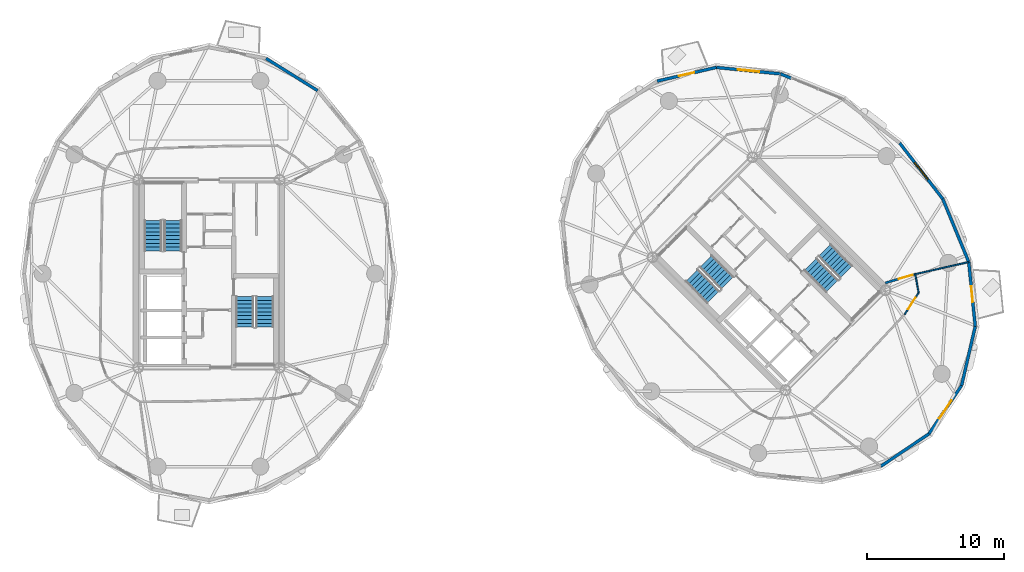
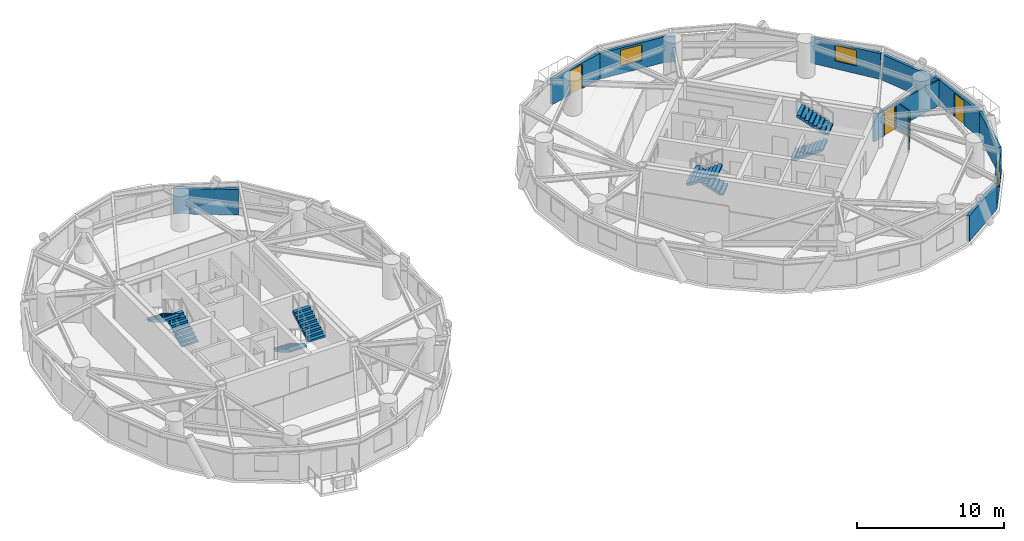
# One storey, part 12 of 15: 14 walls, 8 stair flights, 4 doors, 3 windows, 7 openings, 4 elements without a shape of their own.
"""IFC4 building model written with IfcOpenShell, lengths in metres."""

from ifc_helpers import new_model, si_unit, direction, frame, frame_2d, origin, place, context, subcontext, project, spatial, polyline, rectangle, outline, extrude, source, transform, mapped, material, layer, layer_set, type_object, element, fill, aggregate, save


model = new_model("IFC4")

# Units and contexts
model_context = context("Model", 3, precision=1e-05, world=origin(), true_north=direction((0.0, 1.0)))
body_context = subcontext(model_context, "Body", "Model", "MODEL_VIEW")
ifc_project = project(units=[si_unit("LENGTHUNIT", "METRE"), si_unit("AREAUNIT", "SQUARE_METRE"), si_unit("VOLUMEUNIT", "CUBIC_METRE"), si_unit("PLANEANGLEUNIT", "RADIAN"), si_unit("MASSUNIT", "GRAM", prefix="KILO")], contexts=[model_context])

# Site, building, storey
site_placement = place(None, origin())
site = spatial("IfcSite", under=ifc_project, at=site_placement, CompositionType="ELEMENT")
building_placement = place(site_placement, origin())
building = spatial("IfcBuilding", under=site, at=building_placement, Name="Cununo Teusaquillo Station Towers", CompositionType="ELEMENT")
storey_placement = place(building_placement, frame((0.0, 0.0, 189.429931640625)))
storey = spatial("IfcBuildingStorey", under=building, at=storey_placement, Name="L60", CompositionType="ELEMENT", Elevation=189.429931640625)

# Walls
ifc_material_1 = material(Name="Precast concrete C40/50", Category="concrete")
ifc_layer_1 = layer(ifc_material_1, 0.219970703125)
ifc_layer_set_1 = layer_set([ifc_layer_1], Name="Precast concrete C40/50")
wall_type_1 = type_object("IfcWallType", Name="WL-EXT-220", PredefinedType="SOLIDWALL", material=ifc_layer_set_1)
wall_1_placement = place(storey_placement, frame((20.681396484375, 40.259033203125, 0.0), z_axis=(0.0, 0.0, 1.0), x_axis=(0.848399108042, -0.529357113368, 0.0)))
element("IfcWall", 1, at=wall_1_placement, inside=storey, type_object=wall_type_1, Name="L60 Tower A Exterior Facade Wall C03", PredefinedType="SOLIDWALL", context=body_context, shape_type="SweptSolid", body=[
    extrude(rectangle(XDim=4.446044921875, YDim=0.219970703125, at=frame_2d((2.22314453125, 0.0))), origin(), (0.0, 0.0, 1.0), 2.125),
])
wall_2_placement = place(storey_placement, frame((58.353515625, 39.12744140625, 0.0), z_axis=(0.0, 0.0, 1.0), x_axis=(0.924556017656, -0.381046152345, 0.0)))
element("IfcWall", 2, at=wall_2_placement, inside=storey, type_object=wall_type_1, Name="L60 Tower B Column Pier Cladding Wall C01-PA", PredefinedType="SOLIDWALL", context=body_context, shape_type="SweptSolid", body=[
    extrude(rectangle(XDim=0.8701171875, YDim=0.219970703125, at=frame_2d((0.43505859375, 0.0))), origin(), (0.0, 0.0, 1.0), 2.125),
])

# Wall, opening, window
wall_3_placement = place(storey_placement, frame((53.644775390625, 39.602783203125, 0.0), z_axis=(0.0, 0.0, 1.0), x_axis=(0.994943283129, -0.100438356004, 0.0)))
wall_3 = element("IfcWall", 3, at=wall_3_placement, inside=storey, type_object=wall_type_1, Name="L60 Tower B Exterior Facade Wall C02", PredefinedType="SOLIDWALL", context=body_context, shape_type="SweptSolid", body=[
    extrude(rectangle(XDim=4.732666015625, YDim=0.219970703125, at=frame_2d((2.3662109375, 0.0))), origin(), (0.0, 0.0, 1.0), 2.125),
])
shared_shape_1 = source(origin(), body_context, "Body", "SweptSolid", [
    extrude(rectangle(XDim=1.60009765625, YDim=1.300048828125, at=frame_2d((0.800048828125, 0.64990234375))), frame((0.0, 0.119873046875, 0.0), z_axis=(0.0, -1.0, 0.0), x_axis=(1.0, 0.0, 0.0)), (0.0, 0.0, 1.0), 0.239990234375),
])
opening_1_placement = place(wall_3_placement, frame((1.56591796875, 0.0, 0.64990234375)))
opening_1 = element("IfcOpeningElement", 4, at=opening_1_placement, cuts=wall_3, Name="Opening WN-03", PredefinedType="OPENING", context=body_context, shape_type="MappedRepresentation", body=[
    mapped(shared_shape_1, transform((0.0, 0.0, 0.0), x_axis=(1.0, 0.0, 0.0), y_axis=(0.0, 1.0, 0.0), z_axis=(0.0, 0.0, 1.0), scale=1.0)),
])
ifc_material_2 = material(Name="Ceramic-fritted dark low-E double glazing", Category="glass")
window_type = type_object("IfcWindowType", Name="WIN-CORN-1600", PartitioningType="SINGLE_PANEL", PredefinedType="WINDOW", material=ifc_material_2)
shared_shape_2 = source(origin(), body_context, "Body", "SweptSolid", [
    extrude(rectangle(XDim=1.60009765625, YDim=1.300048828125, at=frame_2d((0.800048828125, 0.64990234375))), frame((0.0, 0.030029296875, 0.0), z_axis=(0.0, -1.0, 0.0), x_axis=(1.0, 0.0, 0.0)), (0.0, 0.0, 1.0), 0.06005859375),
])
window_1_placement = place(opening_1_placement, origin())
window_1 = element("IfcWindow", 5, at=window_1_placement, inside=storey, type_object=window_type, Name="L60 Tower B Facade Window C02", OverallHeight=1.300048828125, OverallWidth=1.60009765625, PartitioningType="SINGLE_PANEL", PredefinedType="WINDOW", context=body_context, shape_type="MappedRepresentation", body=[
    mapped(shared_shape_2, transform((0.0, 0.0, 0.0), x_axis=(1.0, 0.0, 0.0), y_axis=(0.0, 1.0, 0.0), z_axis=(0.0, 0.0, 1.0), scale=1.0)),
])
fill(opening_1, window_1)

# Wall, opening, door
wall_4_placement = place(storey_placement, frame((49.313232421875, 38.599853515625, 0.0), z_axis=(0.0, 0.0, 1.0), x_axis=(0.97422620202, 0.22557328587, 0.0)))
wall_4 = element("IfcWall", 6, at=wall_4_placement, inside=storey, type_object=wall_type_1, Name="L60 Tower B Exterior Facade Wall C03", PredefinedType="SOLIDWALL", context=body_context, shape_type="SweptSolid", body=[
    extrude(rectangle(XDim=4.446044921875, YDim=0.219970703125, at=frame_2d((2.22314453125, 0.0))), origin(), (0.0, 0.0, 1.0), 2.125),
])
shared_shape_3 = source(origin(), body_context, "Body", "SweptSolid", [
    extrude(rectangle(XDim=1.14990234375, YDim=2.0048828125, at=frame_2d((0.574951171875, 1.00244140625))), frame((0.0, 0.119873046875, 0.0), z_axis=(0.0, -1.0, 0.0), x_axis=(1.0, 0.0, 0.0)), (0.0, 0.0, 1.0), 0.239990234375),
])
opening_2_placement = place(wall_4_placement, frame((1.64794921875, 0.0, 0.0)))
opening_2 = element("IfcOpeningElement", 7, at=opening_2_placement, cuts=wall_4, Name="Opening ED-03", PredefinedType="OPENING", context=body_context, shape_type="MappedRepresentation", body=[
    mapped(shared_shape_3, transform((0.0, 0.0, 0.0), x_axis=(1.0, 0.0, 0.0), y_axis=(0.0, 1.0, 0.0), z_axis=(0.0, 0.0, 1.0), scale=1.0)),
])
ifc_material_3 = material(Name="Anodised dark bronze aluminium EN AW-6063-T6", Category="aluminium")
door_type_1 = type_object("IfcDoorType", Name="DR-EXT-BAL", OperationType="NOTDEFINED", PredefinedType="DOOR", material=ifc_material_3)
shared_shape_4 = source(origin(), body_context, "Body", "SweptSolid", [
    extrude(rectangle(XDim=1.14990234375, YDim=2.0048828125, at=frame_2d((0.574951171875, 1.00244140625))), frame((0.0, 0.02490234375, 0.0), z_axis=(0.0, -1.0, 0.0), x_axis=(1.0, 0.0, 0.0)), (0.0, 0.0, 1.0), 0.050048828125),
])
door_1_placement = place(opening_2_placement, origin())
door_1 = element("IfcDoor", 8, at=door_1_placement, inside=storey, type_object=door_type_1, Name="L60 Tower B Tree Balcony Door C03", OperationType="SINGLE_SWING_LEFT", OverallHeight=2.0048828125, OverallWidth=1.14990234375, PredefinedType="DOOR", context=body_context, shape_type="MappedRepresentation", body=[
    mapped(shared_shape_4, transform((0.0, 0.0, 0.0), x_axis=(1.0, 0.0, 0.0), y_axis=(0.0, 1.0, 0.0), z_axis=(0.0, 0.0, 1.0), scale=1.0)),
])
fill(opening_2, door_1)

# Wall
wall_5_placement = place(storey_placement, frame((69.216796875, 12.783203125, 0.0), z_axis=(0.0, 0.0, 1.0), x_axis=(-0.828817439852, -0.55951912514, 0.0)))
element("IfcWall", 9, at=wall_5_placement, inside=storey, type_object=wall_type_1, Name="L60 Tower B Exterior Facade Wall C14", PredefinedType="SOLIDWALL", context=body_context, shape_type="SweptSolid", body=[
    extrude(rectangle(XDim=4.259033203125, YDim=0.219970703125, at=frame_2d((2.12939453125, 0.0))), origin(), (0.0, 0.0, 1.0), 2.125),
])

# Wall, opening, window
wall_6_placement = place(storey_placement, frame((71.599853515625, 16.313232421875, 0.0), z_axis=(0.0, 0.0, 1.0), x_axis=(-0.55951912514, -0.828817439852, 0.0)))
wall_6 = element("IfcWall", 10, at=wall_6_placement, inside=storey, type_object=wall_type_1, Name="L60 Tower B Exterior Facade Wall C15", PredefinedType="SOLIDWALL", context=body_context, shape_type="SweptSolid", body=[
    extrude(rectangle(XDim=4.259033203125, YDim=0.219970703125, at=frame_2d((2.12939453125, 0.0))), origin(), (0.0, 0.0, 1.0), 2.125),
])
opening_3_placement = place(wall_6_placement, frame((1.330078125, 0.0, 0.64990234375)))
opening_3 = element("IfcOpeningElement", 11, at=opening_3_placement, cuts=wall_6, Name="Opening WN-03", PredefinedType="OPENING", context=body_context, shape_type="MappedRepresentation", body=[
    mapped(shared_shape_1, transform((0.0, 0.0, 0.0), x_axis=(1.0, 0.0, 0.0), y_axis=(0.0, 1.0, 0.0), z_axis=(0.0, 0.0, 1.0), scale=1.0)),
])
window_2_placement = place(opening_3_placement, origin())
window_2 = element("IfcWindow", 12, at=window_2_placement, inside=storey, type_object=window_type, Name="L60 Tower B Facade Window C15", OverallHeight=1.300048828125, OverallWidth=1.60009765625, PartitioningType="SINGLE_PANEL", PredefinedType="WINDOW", context=body_context, shape_type="MappedRepresentation", body=[
    mapped(shared_shape_2, transform((0.0, 0.0, 0.0), x_axis=(1.0, 0.0, 0.0), y_axis=(0.0, 1.0, 0.0), z_axis=(0.0, 0.0, 1.0), scale=1.0)),
])
fill(opening_3, window_2)

# Wall
wall_7_placement = place(storey_placement, frame((72.602783203125, 20.644775390625, 0.0), z_axis=(0.0, 0.0, 1.0), x_axis=(-0.22557328587, -0.97422620202, 0.0)))
element("IfcWall", 13, at=wall_7_placement, inside=storey, type_object=wall_type_1, Name="L60 Tower B Exterior Facade Wall C16", PredefinedType="SOLIDWALL", context=body_context, shape_type="SweptSolid", body=[
    extrude(rectangle(XDim=4.446044921875, YDim=0.219970703125, at=frame_2d((2.22314453125, 0.0))), origin(), (0.0, 0.0, 1.0), 2.125),
])

# Wall, opening, door
wall_8_placement = place(storey_placement, frame((72.12744140625, 25.353515625, 0.0), z_axis=(0.0, 0.0, 1.0), x_axis=(0.100438356004, -0.994943283129, 0.0)))
wall_8 = element("IfcWall", 14, at=wall_8_placement, inside=storey, type_object=wall_type_1, Name="L60 Tower B Exterior Facade Wall C17", PredefinedType="SOLIDWALL", context=body_context, shape_type="SweptSolid", body=[
    extrude(rectangle(XDim=4.732666015625, YDim=0.219970703125, at=frame_2d((2.3662109375, 0.0))), origin(), (0.0, 0.0, 1.0), 2.125),
])
opening_4_placement = place(wall_8_placement, frame((1.791015625, 0.0, 0.0)))
opening_4 = element("IfcOpeningElement", 15, at=opening_4_placement, cuts=wall_8, Name="Opening ED-03", PredefinedType="OPENING", context=body_context, shape_type="MappedRepresentation", body=[
    mapped(shared_shape_3, transform((0.0, 0.0, 0.0), x_axis=(1.0, 0.0, 0.0), y_axis=(0.0, 1.0, 0.0), z_axis=(0.0, 0.0, 1.0), scale=1.0)),
])
door_2_placement = place(opening_4_placement, origin())
door_2 = element("IfcDoor", 16, at=door_2_placement, inside=storey, type_object=door_type_1, Name="L60 Tower B Tree Balcony Door C17", OperationType="SINGLE_SWING_LEFT", OverallHeight=2.0048828125, OverallWidth=1.14990234375, PredefinedType="DOOR", context=body_context, shape_type="MappedRepresentation", body=[
    mapped(shared_shape_4, transform((0.0, 0.0, 0.0), x_axis=(1.0, 0.0, 0.0), y_axis=(0.0, 1.0, 0.0), z_axis=(0.0, 0.0, 1.0), scale=1.0)),
])
fill(opening_4, door_2)

# Wall
wall_9_placement = place(storey_placement, frame((70.22021484375, 29.97900390625, 0.0), z_axis=(0.0, 0.0, 1.0), x_axis=(0.381196434348, -0.924494066201, 0.0)))
element("IfcWall", 17, at=wall_9_placement, inside=storey, type_object=wall_type_1, Name="L60 Tower B Exterior Facade Wall C18", PredefinedType="SOLIDWALL", context=body_context, shape_type="SweptSolid", body=[
    extrude(rectangle(XDim=5.003173828125, YDim=0.219970703125, at=frame_2d((2.50146484375, 0.0))), origin(), (0.0, 0.0, 1.0), 2.125),
])

# Wall, opening, window
wall_10_placement = place(storey_placement, frame((67.06787109375, 34.06787109375, 0.0), z_axis=(0.0, 0.0, 1.0), x_axis=(0.610569654715, -0.791962560189, 0.0)))
wall_10 = element("IfcWall", 18, at=wall_10_placement, inside=storey, type_object=wall_type_1, Name="L60 Tower B Exterior Facade Wall C19", PredefinedType="SOLIDWALL", context=body_context, shape_type="SweptSolid", body=[
    extrude(rectangle(XDim=5.162841796875, YDim=0.219970703125, at=frame_2d((2.58154296875, 0.0))), origin(), (0.0, 0.0, 1.0), 2.125),
])
opening_5_placement = place(wall_10_placement, frame((1.781982421875, 0.0, 0.64990234375)))
opening_5 = element("IfcOpeningElement", 19, at=opening_5_placement, cuts=wall_10, Name="Opening WN-03", PredefinedType="OPENING", context=body_context, shape_type="MappedRepresentation", body=[
    mapped(shared_shape_1, transform((0.0, 0.0, 0.0), x_axis=(1.0, 0.0, 0.0), y_axis=(0.0, 1.0, 0.0), z_axis=(0.0, 0.0, 1.0), scale=1.0)),
])
window_3_placement = place(opening_5_placement, origin())
window_3 = element("IfcWindow", 20, at=window_3_placement, inside=storey, type_object=window_type, Name="L60 Tower B Facade Window C19", OverallHeight=1.300048828125, OverallWidth=1.60009765625, PartitioningType="SINGLE_PANEL", PredefinedType="WINDOW", context=body_context, shape_type="MappedRepresentation", body=[
    mapped(shared_shape_2, transform((0.0, 0.0, 0.0), x_axis=(1.0, 0.0, 0.0), y_axis=(0.0, 1.0, 0.0), z_axis=(0.0, 0.0, 1.0), scale=1.0)),
])
fill(opening_5, window_3)

# Wall, opening, door
ifc_material_4 = material(Name="Fire-rated gypsum plasterboard partition assembly", Category="gypsum")
ifc_layer_2 = layer(ifc_material_4, 0.10009765625)
ifc_layer_set_2 = layer_set([ifc_layer_2], Name="Fire-rated gypsum plasterboard partition assembly")
wall_type_2 = type_object("IfcWallType", Name="WL-PART-100", PredefinedType="MOVABLE", material=ifc_layer_set_2)
wall_11_placement = place(storey_placement, frame((67.4345703125, 21.521484375, 0.0), z_axis=(0.0, 0.0, 1.0), x_axis=(0.540777197838, 0.841165870859, 0.0)))
wall_11 = element("IfcWall", 21, at=wall_11_placement, inside=storey, type_object=wall_type_2, Name="L60 Tower B Corridor Ring Wall C16", PredefinedType="MOVABLE", context=body_context, shape_type="SweptSolid", body=[
    extrude(rectangle(XDim=1.887939453125, YDim=0.10009765625, at=frame_2d((0.94384765625, 0.0))), origin(), (0.0, 0.0, 1.0), 2.125),
])
shared_shape_5 = source(origin(), body_context, "Body", "SweptSolid", [
    extrude(rectangle(XDim=1.0, YDim=2.014892578125, at=frame_2d((0.5, 1.00732421875))), frame((0.0, 0.06005859375, 0.0), z_axis=(0.0, -1.0, 0.0), x_axis=(1.0, 0.0, 0.0)), (0.0, 0.0, 1.0), 0.1201171875),
])
opening_6_placement = place(wall_11_placement, frame((0.44384765625, 0.0, 0.0)))
opening_6 = element("IfcOpeningElement", 22, at=opening_6_placement, cuts=wall_11, Name="Opening D-AC1", PredefinedType="OPENING", context=body_context, shape_type="MappedRepresentation", body=[
    mapped(shared_shape_5, transform((0.0, 0.0, 0.0), x_axis=(1.0, 0.0, 0.0), y_axis=(0.0, 1.0, 0.0), z_axis=(0.0, 0.0, 1.0), scale=1.0)),
])
ifc_material_5 = material(Name="Acoustic solid-core hardwood leaf assembly", Category="wood")
door_type_2 = type_object("IfcDoorType", Name="DR-ACC-1000", OperationType="NOTDEFINED", PredefinedType="DOOR", material=ifc_material_5)
shared_shape_6 = source(origin(), body_context, "Body", "SweptSolid", [
    extrude(rectangle(XDim=1.0, YDim=2.014892578125, at=frame_2d((0.5, 1.00732421875))), frame((0.0, 0.02490234375, 0.0), z_axis=(0.0, -1.0, 0.0), x_axis=(1.0, 0.0, 0.0)), (0.0, 0.0, 1.0), 0.050048828125),
])
door_3_placement = place(opening_6_placement, origin())
door_3 = element("IfcDoor", 23, at=door_3_placement, inside=storey, type_object=door_type_2, Name="L60 Tower B Public Accessible Restroom WC Entrance Door", OperationType="SINGLE_SWING_LEFT", OverallHeight=2.014892578125, OverallWidth=1.0, PredefinedType="DOOR", context=body_context, shape_type="MappedRepresentation", body=[
    mapped(shared_shape_6, transform((0.0, 0.0, 0.0), x_axis=(1.0, 0.0, 0.0), y_axis=(0.0, 1.0, 0.0), z_axis=(0.0, 0.0, 1.0), scale=1.0)),
])
fill(opening_6, door_3)

# Walls
wall_12_placement = place(storey_placement, frame((68.45556640625, 23.109619140625, 0.0), z_axis=(0.0, 0.0, 1.0), x_axis=(-0.1772522795, 0.984165448191, 0.0)))
element("IfcWall", 24, at=wall_12_placement, inside=storey, type_object=wall_type_2, Name="L60 Tower B Corridor Ring Wall C17", PredefinedType="MOVABLE", context=body_context, shape_type="SweptSolid", body=[
    extrude(rectangle(XDim=1.381591796875, YDim=0.10009765625, at=frame_2d((0.69091796875, 0.0))), origin(), (0.0, 0.0, 1.0), 2.125),
])
wall_13_placement = place(storey_placement, frame((68.210693359375, 24.46923828125, 0.0), z_axis=(0.0, 0.0, 1.0), x_axis=(0.975366409574, 0.220590949666, 0.0)))
element("IfcWall", 25, at=wall_13_placement, inside=storey, type_object=wall_type_2, Name="L60 Tower B Radial Suite Partition R04", PredefinedType="MOVABLE", context=body_context, shape_type="SweptSolid", body=[
    extrude(rectangle(XDim=3.995361328125, YDim=0.10009765625, at=frame_2d((1.99755859375, 0.0))), origin(), (0.0, 0.0, 1.0), 2.125),
])

# Wall, opening, door
ifc_material_6 = material(Name="Fire-rated gypsum plasterboard partition assembly", Category="gypsum")
ifc_layer_3 = layer(ifc_material_6, 0.159912109375)
ifc_layer_set_3 = layer_set([ifc_layer_3], Name="Fire-rated gypsum plasterboard partition assembly")
wall_type_3 = type_object("IfcWallType", Name="WL-PART-160", PredefinedType="PARTITIONING", material=ifc_layer_set_3)
wall_14_placement = place(storey_placement, frame((66.0205078125, 23.828125, 0.0), z_axis=(0.0, 0.0, 1.0), x_axis=(0.959727558294, 0.280932400856, 0.0)))
wall_14 = element("IfcWall", 26, at=wall_14_placement, inside=storey, type_object=wall_type_3, Name="L60 Tower B East Salon Corridor Portal Wall SE", PredefinedType="PARTITIONING", context=body_context, shape_type="SweptSolid", body=[
    extrude(rectangle(XDim=2.281982421875, YDim=0.159912109375, at=frame_2d((1.14111328125, 0.0))), origin(), (0.0, 0.0, 1.0), 2.125),
])
shared_shape_7 = source(origin(), body_context, "Body", "SweptSolid", [
    extrude(rectangle(XDim=1.050048828125, YDim=2.014892578125, at=frame_2d((0.52490234375, 1.00732421875))), frame((0.0, 0.08984375, 0.0), z_axis=(0.0, -1.0, 0.0), x_axis=(1.0, 0.0, 0.0)), (0.0, 0.0, 1.0), 0.179931640625),
])
opening_7_placement = place(wall_14_placement, frame((1.031982421875, 0.0, 0.0)))
opening_7 = element("IfcOpeningElement", 27, at=opening_7_placement, cuts=wall_14, Name="Opening D-SU1", PredefinedType="OPENING", context=body_context, shape_type="MappedRepresentation", body=[
    mapped(shared_shape_7, transform((0.0, 0.0, 0.0), x_axis=(1.0, 0.0, 0.0), y_axis=(0.0, 1.0, 0.0), z_axis=(0.0, 0.0, 1.0), scale=1.0)),
])
ifc_material_7 = material(Name="Acoustic solid-core hardwood leaf assembly", Category="wood")
door_type_3 = type_object("IfcDoorType", Name="DR-SUITE-1050", OperationType="NOTDEFINED", PredefinedType="DOOR", material=ifc_material_7)
shared_shape_8 = source(origin(), body_context, "Body", "SweptSolid", [
    extrude(rectangle(XDim=1.050048828125, YDim=2.014892578125, at=frame_2d((0.52490234375, 1.00732421875))), frame((0.0, 0.02490234375, 0.0), z_axis=(0.0, -1.0, 0.0), x_axis=(1.0, 0.0, 0.0)), (0.0, 0.0, 1.0), 0.050048828125),
])
door_4_placement = place(opening_7_placement, origin())
door_4 = element("IfcDoor", 28, at=door_4_placement, inside=storey, type_object=door_type_3, Name="L60 Tower B East Panorama Sky Salon Door SE", OperationType="SINGLE_SWING_RIGHT", OverallHeight=2.014892578125, OverallWidth=1.050048828125, PredefinedType="DOOR", context=body_context, shape_type="MappedRepresentation", body=[
    mapped(shared_shape_8, transform((0.0, 0.0, 0.0), x_axis=(1.0, 0.0, 0.0), y_axis=(0.0, 1.0, 0.0), z_axis=(0.0, 0.0, 1.0), scale=1.0)),
])
fill(opening_7, door_4)

# Stair, stair flights
ifc_material_8 = material(Name="Concrete C50/60", Category="concrete")
stair_type = type_object("IfcStairType", Name="ST-TWR-1300", PredefinedType="HALF_TURN_STAIR", material=ifc_material_8)
stair_1_placement = place(storey_placement, origin())
stair_1 = element("IfcStair", 29, at=stair_1_placement, inside=storey, type_object=stair_type, Name="L60 Tower A Protected Core Exit Stair 1", PredefinedType="HALF_TURN_STAIR")
ifc_material_9 = material(Name="Concrete C50/60", Category="concrete")
stair_flight_type = type_object("IfcStairFlightType", Name="SFL-TWR-1300", PredefinedType="STRAIGHT", material=ifc_material_9)
stair_flight_1_placement = place(storey_placement, frame((13.8701171875, 26.169921875, 0.0), z_axis=(0.0, 0.0, 1.0), x_axis=(0.0, 1.0, 0.0)))
stair_flight_1 = element("IfcStairFlight", 30, at=stair_flight_1_placement, type_object=stair_flight_type, Name="ST-T1-1 flight 1", NumberOfRisers=9, NumberOfTreads=8, PredefinedType="STRAIGHT", RiserHeight=0.161666667, TreadLength=0.28, context=body_context, shape_type="SweptSolid", body=[
    extrude(outline(polyline([(0.0, 0.0), (0.0, 0.16162109375), (0.280029296875, 0.16162109375), (0.280029296875, 0.3232421875), (0.56005859375, 0.3232421875), (0.56005859375, 0.485107421875), (0.840087890625, 0.485107421875), (0.840087890625, 0.646728515625), (1.1201171875, 0.646728515625), (1.1201171875, 0.808349609375), (1.39990234375, 0.808349609375), (1.39990234375, 0.969970703125), (1.679931640625, 0.969970703125), (1.679931640625, 1.131591796875), (1.9599609375, 1.131591796875), (1.9599609375, 1.293212890625), (2.239990234375, 1.293212890625), (2.239990234375, 1.455078125), (2.239990234375, 1.1201171875), (0.2998046875, 0.0), (0.0, 0.0)])), frame((0.0, 0.64990234375, 0.0), z_axis=(0.0, -1.0, 0.0), x_axis=(1.0, 0.0, 0.0)), (0.0, 0.0, 1.0), 1.300048828125),
])
stair_flight_2_placement = place(storey_placement, frame((12.409912109375, 28.409912109375, 1.455078125), z_axis=(0.0, 0.0, 1.0), x_axis=(0.0, -1.0, 0.0)))
stair_flight_2 = element("IfcStairFlight", 31, at=stair_flight_2_placement, type_object=stair_flight_type, Name="ST-T1-1 flight 2", NumberOfRisers=9, NumberOfTreads=8, PredefinedType="STRAIGHT", RiserHeight=0.161666667, TreadLength=0.28, context=body_context, shape_type="SweptSolid", body=[
    extrude(outline(polyline([(0.0, 0.0), (0.0, 0.16162109375), (0.280029296875, 0.16162109375), (0.280029296875, 0.3232421875), (0.56005859375, 0.3232421875), (0.56005859375, 0.485107421875), (0.840087890625, 0.485107421875), (0.840087890625, 0.646728515625), (1.1201171875, 0.646728515625), (1.1201171875, 0.808349609375), (1.39990234375, 0.808349609375), (1.39990234375, 0.969970703125), (1.679931640625, 0.969970703125), (1.679931640625, 1.131591796875), (1.9599609375, 1.131591796875), (1.9599609375, 1.293212890625), (2.239990234375, 1.293212890625), (2.239990234375, 1.455078125), (2.239990234375, 1.1201171875), (0.2998046875, 0.0), (0.0, 0.0)])), frame((0.0, 0.64990234375, 0.0), z_axis=(0.0, -1.0, 0.0), x_axis=(1.0, 0.0, 0.0)), (0.0, 0.0, 1.0), 1.300048828125),
])
aggregate(stair_1, [stair_flight_1, stair_flight_2])

stair_2_placement = place(storey_placement, origin())
stair_2 = element("IfcStair", 32, at=stair_2_placement, inside=storey, type_object=stair_type, Name="L60 Tower A Protected Core Exit Stair 2", PredefinedType="HALF_TURN_STAIR")
stair_flight_3_placement = place(storey_placement, frame((19.1298828125, 22.830078125, 0.0), z_axis=(0.0, 0.0, 1.0), x_axis=(0.0, -1.0, 0.0)))
stair_flight_3 = element("IfcStairFlight", 33, at=stair_flight_3_placement, type_object=stair_flight_type, Name="ST-T1-2 flight 1", NumberOfRisers=9, NumberOfTreads=8, PredefinedType="STRAIGHT", RiserHeight=0.161666667, TreadLength=0.28, context=body_context, shape_type="SweptSolid", body=[
    extrude(outline(polyline([(0.0, 0.0), (0.0, 0.16162109375), (0.280029296875, 0.16162109375), (0.280029296875, 0.3232421875), (0.56005859375, 0.3232421875), (0.56005859375, 0.485107421875), (0.840087890625, 0.485107421875), (0.840087890625, 0.646728515625), (1.1201171875, 0.646728515625), (1.1201171875, 0.808349609375), (1.39990234375, 0.808349609375), (1.39990234375, 0.969970703125), (1.679931640625, 0.969970703125), (1.679931640625, 1.131591796875), (1.9599609375, 1.131591796875), (1.9599609375, 1.293212890625), (2.239990234375, 1.293212890625), (2.239990234375, 1.455078125), (2.239990234375, 1.1201171875), (0.2998046875, 0.0), (0.0, 0.0)])), frame((0.0, 0.64990234375, 0.0), z_axis=(0.0, -1.0, 0.0), x_axis=(1.0, 0.0, 0.0)), (0.0, 0.0, 1.0), 1.300048828125),
])
stair_flight_4_placement = place(storey_placement, frame((20.590087890625, 20.590087890625, 1.455078125), z_axis=(0.0, 0.0, 1.0), x_axis=(0.0, 1.0, 0.0)))
stair_flight_4 = element("IfcStairFlight", 34, at=stair_flight_4_placement, type_object=stair_flight_type, Name="ST-T1-2 flight 2", NumberOfRisers=9, NumberOfTreads=8, PredefinedType="STRAIGHT", RiserHeight=0.161666667, TreadLength=0.28, context=body_context, shape_type="SweptSolid", body=[
    extrude(outline(polyline([(0.0, 0.0), (0.0, 0.16162109375), (0.280029296875, 0.16162109375), (0.280029296875, 0.3232421875), (0.56005859375, 0.3232421875), (0.56005859375, 0.485107421875), (0.840087890625, 0.485107421875), (0.840087890625, 0.646728515625), (1.1201171875, 0.646728515625), (1.1201171875, 0.808349609375), (1.39990234375, 0.808349609375), (1.39990234375, 0.969970703125), (1.679931640625, 0.969970703125), (1.679931640625, 1.131591796875), (1.9599609375, 1.131591796875), (1.9599609375, 1.293212890625), (2.239990234375, 1.293212890625), (2.239990234375, 1.455078125), (2.239990234375, 1.1201171875), (0.2998046875, 0.0), (0.0, 0.0)])), frame((0.0, 0.64990234375, 0.0), z_axis=(0.0, -1.0, 0.0), x_axis=(1.0, 0.0, 0.0)), (0.0, 0.0, 1.0), 1.300048828125),
])
aggregate(stair_2, [stair_flight_3, stair_flight_4])

stair_3_placement = place(storey_placement, origin())
stair_3 = element("IfcStair", 35, at=stair_3_placement, inside=storey, type_object=stair_type, Name="L60 Tower B Protected Core Exit Stair 1", PredefinedType="HALF_TURN_STAIR")
stair_flight_5_placement = place(storey_placement, frame((54.45947265625, 23.8212890625, 0.0), z_axis=(0.0, 0.0, 1.0), x_axis=(-0.707106781187, 0.707106781187, 0.0)))
stair_flight_5 = element("IfcStairFlight", 36, at=stair_flight_5_placement, type_object=stair_flight_type, Name="ST-T2-1 flight 1", NumberOfRisers=9, NumberOfTreads=8, PredefinedType="STRAIGHT", RiserHeight=0.161666667, TreadLength=0.28, context=body_context, shape_type="SweptSolid", body=[
    extrude(outline(polyline([(0.0, 0.0), (0.0, 0.16162109375), (0.280029296875, 0.16162109375), (0.280029296875, 0.3232421875), (0.56005859375, 0.3232421875), (0.56005859375, 0.485107421875), (0.840087890625, 0.485107421875), (0.840087890625, 0.646728515625), (1.1201171875, 0.646728515625), (1.1201171875, 0.808349609375), (1.39990234375, 0.808349609375), (1.39990234375, 0.969970703125), (1.679931640625, 0.969970703125), (1.679931640625, 1.131591796875), (1.9599609375, 1.131591796875), (1.9599609375, 1.293212890625), (2.239990234375, 1.293212890625), (2.239990234375, 1.455078125), (2.239990234375, 1.1201171875), (0.2998046875, 0.0), (0.0, 0.0)])), frame((0.0, 0.64990234375, 0.0), z_axis=(0.0, -1.0, 0.0), x_axis=(1.0, 0.0, 0.0)), (0.0, 0.0, 1.0), 1.300048828125),
])
stair_flight_6_placement = place(storey_placement, frame((51.84326171875, 24.372802734375, 1.455078125), z_axis=(0.0, 0.0, 1.0), x_axis=(0.707106781187, -0.707106781187, 0.0)))
stair_flight_6 = element("IfcStairFlight", 37, at=stair_flight_6_placement, type_object=stair_flight_type, Name="ST-T2-1 flight 2", NumberOfRisers=9, NumberOfTreads=8, PredefinedType="STRAIGHT", RiserHeight=0.161666667, TreadLength=0.28, context=body_context, shape_type="SweptSolid", body=[
    extrude(outline(polyline([(0.0, 0.0), (0.0, 0.16162109375), (0.280029296875, 0.16162109375), (0.280029296875, 0.3232421875), (0.56005859375, 0.3232421875), (0.56005859375, 0.485107421875), (0.840087890625, 0.485107421875), (0.840087890625, 0.646728515625), (1.1201171875, 0.646728515625), (1.1201171875, 0.808349609375), (1.39990234375, 0.808349609375), (1.39990234375, 0.969970703125), (1.679931640625, 0.969970703125), (1.679931640625, 1.131591796875), (1.9599609375, 1.131591796875), (1.9599609375, 1.293212890625), (2.239990234375, 1.293212890625), (2.239990234375, 1.455078125), (2.239990234375, 1.1201171875), (0.2998046875, 0.0), (0.0, 0.0)])), frame((0.0, 0.64990234375, 0.0), z_axis=(0.0, -1.0, 0.0), x_axis=(1.0, 0.0, 0.0)), (0.0, 0.0, 1.0), 1.300048828125),
])
aggregate(stair_3, [stair_flight_5, stair_flight_6])

stair_4_placement = place(storey_placement, origin())
stair_4 = element("IfcStair", 38, at=stair_4_placement, inside=storey, type_object=stair_type, Name="L60 Tower B Protected Core Exit Stair 2", PredefinedType="HALF_TURN_STAIR")
stair_flight_7_placement = place(storey_placement, frame((60.54052734375, 25.1787109375, 0.0), z_axis=(0.0, 0.0, 1.0), x_axis=(0.707106781187, -0.707106781187, 0.0)))
stair_flight_7 = element("IfcStairFlight", 39, at=stair_flight_7_placement, type_object=stair_flight_type, Name="ST-T2-2 flight 1", NumberOfRisers=9, NumberOfTreads=8, PredefinedType="STRAIGHT", RiserHeight=0.161666667, TreadLength=0.28, context=body_context, shape_type="SweptSolid", body=[
    extrude(outline(polyline([(0.0, 0.0), (0.0, 0.16162109375), (0.280029296875, 0.16162109375), (0.280029296875, 0.3232421875), (0.56005859375, 0.3232421875), (0.56005859375, 0.485107421875), (0.840087890625, 0.485107421875), (0.840087890625, 0.646728515625), (1.1201171875, 0.646728515625), (1.1201171875, 0.808349609375), (1.39990234375, 0.808349609375), (1.39990234375, 0.969970703125), (1.679931640625, 0.969970703125), (1.679931640625, 1.131591796875), (1.9599609375, 1.131591796875), (1.9599609375, 1.293212890625), (2.239990234375, 1.293212890625), (2.239990234375, 1.455078125), (2.239990234375, 1.1201171875), (0.2998046875, 0.0), (0.0, 0.0)])), frame((0.0, 0.64990234375, 0.0), z_axis=(0.0, -1.0, 0.0), x_axis=(1.0, 0.0, 0.0)), (0.0, 0.0, 1.0), 1.300048828125),
])
stair_flight_8_placement = place(storey_placement, frame((63.15673828125, 24.627197265625, 1.455078125), z_axis=(0.0, 0.0, 1.0), x_axis=(-0.707106781187, 0.707106781187, 0.0)))
stair_flight_8 = element("IfcStairFlight", 40, at=stair_flight_8_placement, type_object=stair_flight_type, Name="ST-T2-2 flight 2", NumberOfRisers=9, NumberOfTreads=8, PredefinedType="STRAIGHT", RiserHeight=0.161666667, TreadLength=0.28, context=body_context, shape_type="SweptSolid", body=[
    extrude(outline(polyline([(0.0, 0.0), (0.0, 0.16162109375), (0.280029296875, 0.16162109375), (0.280029296875, 0.3232421875), (0.56005859375, 0.3232421875), (0.56005859375, 0.485107421875), (0.840087890625, 0.485107421875), (0.840087890625, 0.646728515625), (1.1201171875, 0.646728515625), (1.1201171875, 0.808349609375), (1.39990234375, 0.808349609375), (1.39990234375, 0.969970703125), (1.679931640625, 0.969970703125), (1.679931640625, 1.131591796875), (1.9599609375, 1.131591796875), (1.9599609375, 1.293212890625), (2.239990234375, 1.293212890625), (2.239990234375, 1.455078125), (2.239990234375, 1.1201171875), (0.2998046875, 0.0), (0.0, 0.0)])), frame((0.0, 0.64990234375, 0.0), z_axis=(0.0, -1.0, 0.0), x_axis=(1.0, 0.0, 0.0)), (0.0, 0.0, 1.0), 1.300048828125),
])
aggregate(stair_4, [stair_flight_7, stair_flight_8])

save(model, "model.ifc")
